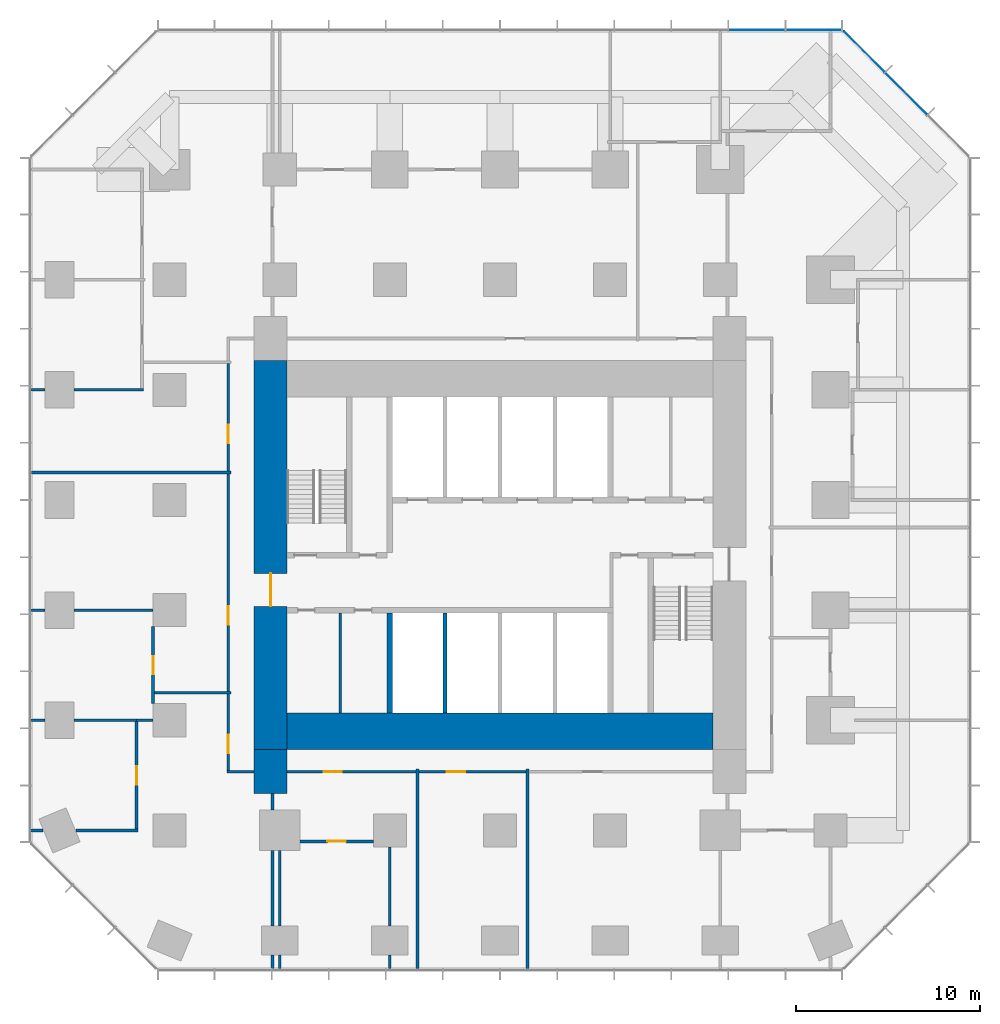
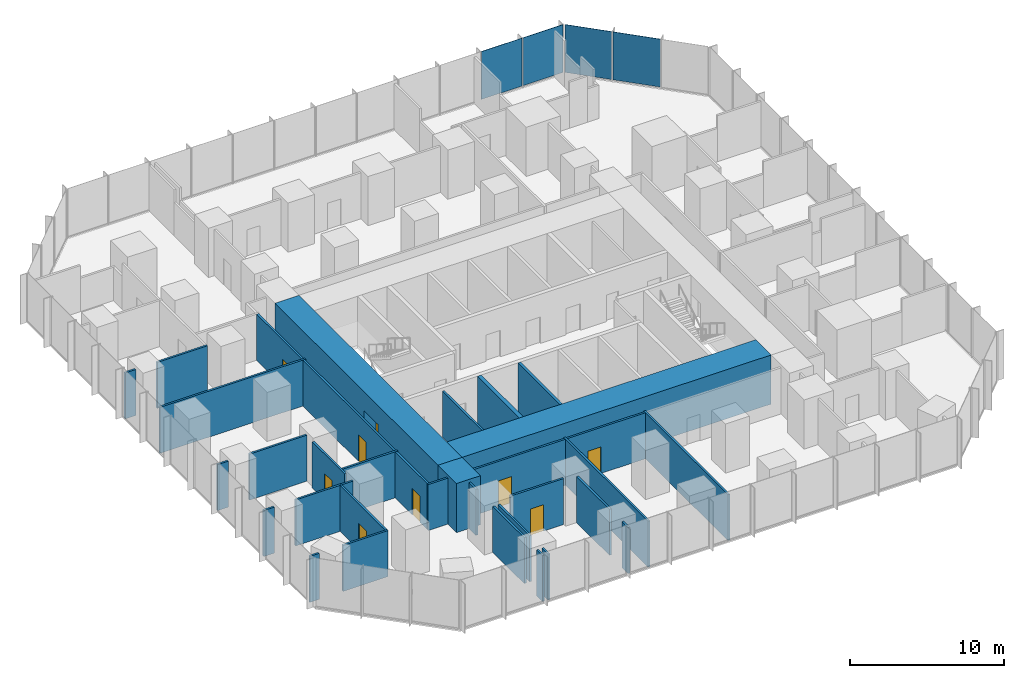
# One storey, part 8 of 12: 35 walls, 9 doors, 4 plates, 9 openings, 2 elements without a shape of their own.
"""IFC4 building model written with IfcOpenShell, lengths in metres."""

from ifc_helpers import new_model, si_unit, direction, frame, frame_2d, origin, origin_2d, place, context, subcontext, project, spatial, rectangle, extrude, material, layer, layer_set, type_object, element, fill, aggregate, save


model = new_model("IFC4")

# Units and contexts
model_context = context("Model", 3, precision=1e-05, world=origin(), true_north=direction((0.0, 1.0)))
body_context = subcontext(model_context, "Body", "Model", "MODEL_VIEW")
ifc_project = project(units=[si_unit("LENGTHUNIT", "METRE"), si_unit("AREAUNIT", "SQUARE_METRE"), si_unit("VOLUMEUNIT", "CUBIC_METRE"), si_unit("PLANEANGLEUNIT", "RADIAN"), si_unit("MASSUNIT", "GRAM", prefix="KILO")], contexts=[model_context])

# Site, building, storey
site_placement = place(None, origin())
site = spatial("IfcSite", under=ifc_project, at=site_placement, CompositionType="ELEMENT")
building_placement = place(site_placement, origin())
building = spatial("IfcBuilding", under=site, at=building_placement, Name="Highveld Stack Headquarters", CompositionType="ELEMENT")
storey_placement = place(building_placement, frame((0.0, 0.0, 72.800048828125)))
storey = spatial("IfcBuildingStorey", under=building, at=storey_placement, Name="L17", CompositionType="ELEMENT", Elevation=72.800048828125)

# Curtain wall, plates
ifc_material_1 = material(Name="Aluminium bronze anodised", Category="aluminium")
ifc_layer_1 = layer(ifc_material_1, 0.199951171875)
ifc_layer_set_1 = layer_set([ifc_layer_1], Name="Aluminium bronze anodised")
curtain_wall_type_1 = type_object("IfcCurtainWallType", Name="CW1 TOWER UNITISED CURTAIN WALL", PredefinedType="NOTDEFINED", material=ifc_layer_set_1)
curtain_wall_1_placement = place(storey_placement, origin())
curtain_wall_1 = element("IfcCurtainWall", 1, at=curtain_wall_1_placement, inside=storey, type_object=curtain_wall_type_1, Name="Curtain wall CW1 L17 N", PredefinedType="NOTDEFINED")
ifc_material_2 = material(Name="Glass bronze tinted double glazed unit", Category="glass")
ifc_layer_2 = layer(ifc_material_2, 0.028076171875)
ifc_layer_set_2 = layer_set([ifc_layer_2], Name="Glass bronze tinted double glazed unit")
plate_type_1 = type_object("IfcPlateType", Name="CW1 PANEL BRONZE TINTED DOUBLE GLAZED UNIT", PredefinedType="CURTAIN_PANEL", material=ifc_layer_set_2)
plate_1_placement = place(storey_placement, frame((23.09130859375, 31.60009765625, 0.10009765625), z_axis=(0.0, 0.0, 1.0), x_axis=(-1.0, 0.0, 0.0)))
plate_1 = element("IfcPlate", 2, at=plate_1_placement, type_object=plate_type_1, Name="CW1 panel L17 1.1", PredefinedType="CURTAIN_PANEL", context=body_context, shape_type="SweptSolid", body=[
    extrude(rectangle(XDim=3.012939453125, YDim=0.028076171875, at=origin_2d()), origin(), (0.0, 0.0, 1.0), 3.800048828125),
])
plate_2_placement = place(storey_placement, frame((19.9970703125, 31.60009765625, 0.10009765625), z_axis=(0.0, 0.0, 1.0), x_axis=(-1.0, 0.0, 0.0)))
plate_2 = element("IfcPlate", 3, at=plate_2_placement, type_object=plate_type_1, Name="CW1 panel L17 2.1", PredefinedType="CURTAIN_PANEL", context=body_context, shape_type="SweptSolid", body=[
    extrude(rectangle(XDim=3.04541015625, YDim=0.028076171875, at=origin_2d()), origin(), (0.0, 0.0, 1.0), 3.800048828125),
])
aggregate(curtain_wall_1, [plate_1, plate_2])

ifc_material_3 = material(Name="Aluminium bronze anodised", Category="aluminium")
ifc_layer_3 = layer(ifc_material_3, 0.199951171875)
ifc_layer_set_3 = layer_set([ifc_layer_3], Name="Aluminium bronze anodised")
curtain_wall_type_2 = type_object("IfcCurtainWallType", Name="CW2 TOWER CHAMFER UNITISED CURTAIN WALL", PredefinedType="NOTDEFINED", material=ifc_layer_set_3)
curtain_wall_2_placement = place(storey_placement, origin())
curtain_wall_2 = element("IfcCurtainWall", 4, at=curtain_wall_2_placement, inside=storey, type_object=curtain_wall_type_2, Name="Curtain wall CW2 L17 NE", PredefinedType="NOTDEFINED")
ifc_material_4 = material(Name="Glass bronze tinted double glazed unit", Category="glass")
ifc_layer_4 = layer(ifc_material_4, 0.028076171875)
ifc_layer_set_4 = layer_set([ifc_layer_4], Name="Glass bronze tinted double glazed unit")
plate_type_2 = type_object("IfcPlateType", Name="CW2 PANEL BRONZE TINTED DOUBLE GLAZED UNIT", PredefinedType="CURTAIN_PANEL", material=ifc_layer_set_4)
plate_3_placement = place(storey_placement, frame((28.13134765625, 28.13134765625, 0.10009765625), z_axis=(0.0, 0.0, 1.0), x_axis=(-0.707106781187, 0.707106781187, 0.0)))
plate_3 = element("IfcPlate", 5, at=plate_3_placement, type_object=plate_type_2, Name="CW2 panel L17 2.1", PredefinedType="CURTAIN_PANEL", context=body_context, shape_type="SweptSolid", body=[
    extrude(rectangle(XDim=3.205322265625, YDim=0.028076171875, at=origin_2d()), origin(), (0.0, 0.0, 1.0), 3.800048828125),
])
plate_4_placement = place(storey_placement, frame((25.8427734375, 30.419921875, 0.10009765625), z_axis=(0.0, 0.0, 1.0), x_axis=(-0.707106781187, 0.707106781187, 0.0)))
plate_4 = element("IfcPlate", 6, at=plate_4_placement, type_object=plate_type_2, Name="CW2 panel L17 3.1", PredefinedType="CURTAIN_PANEL", context=body_context, shape_type="SweptSolid", body=[
    extrude(rectangle(XDim=3.1376953125, YDim=0.028076171875, at=origin_2d()), origin(), (0.0, 0.0, 1.0), 3.800048828125),
])
aggregate(curtain_wall_2, [plate_3, plate_4])

# Wall, opening, door
ifc_material_5 = material(Name="Concrete C60/75", Category="concrete")
ifc_layer_5 = layer(ifc_material_5, 1.800048828125)
ifc_layer_set_5 = layer_set([ifc_layer_5], Name="Concrete C60/75")
wall_type_1 = type_object("IfcWallType", Name="CORE WALL 1800 C60/75", PredefinedType="SHEAR", material=ifc_layer_set_5)
wall_1_placement = place(storey_placement, frame((-6.5, -7.60009765625, 0.0), z_axis=(0.0, 0.0, 1.0), x_axis=(0.0, 1.0, 0.0)))
wall_1 = element("IfcWall", 7, at=wall_1_placement, inside=storey, type_object=wall_type_1, Name="Core wall W L17", PredefinedType="SHEAR", context=body_context, shape_type="SweptSolid", body=[
    extrude(rectangle(XDim=21.2001953125, YDim=1.800048828125, at=frame_2d((10.60009765625, 0.0))), origin(), (0.0, 0.0, 1.0), 3.89990234375),
])
opening_1_placement = place(wall_1_placement, frame((7.800048828125, 0.0, 0.0)))
opening_1 = element("IfcOpeningElement", 8, at=opening_1_placement, cuts=wall_1, Name="Opening L17-01", PredefinedType="OPENING", context=body_context, shape_type="SweptSolid", body=[
    extrude(rectangle(XDim=1.800048828125, YDim=2.39990234375, at=frame_2d((0.89990234375, 1.199951171875))), frame((0.0, 0.909912109375, 0.0), z_axis=(0.0, -1.0, 0.0), x_axis=(1.0, 0.0, 0.0)), (0.0, 0.0, 1.0), 1.820068359375),
])
ifc_material_6 = material(Name="Steel fire door", Category="steel")
door_type_1 = type_object("IfcDoorType", Name="LOBBY FIRE DOOR D4 1800x2400", OperationType="DOUBLE_DOOR_SINGLE_SWING", PredefinedType="DOOR", material=ifc_material_6)
door_1_placement = place(opening_1_placement, origin())
door_1 = element("IfcDoor", 9, at=door_1_placement, inside=storey, type_object=door_type_1, Name="Core west door L17", OperationType="DOUBLE_DOOR_SINGLE_SWING", OverallHeight=2.39990234375, OverallWidth=1.800048828125, PredefinedType="DOOR", context=body_context, shape_type="SweptSolid", body=[
    extrude(rectangle(XDim=1.800048828125, YDim=2.39990234375, at=frame_2d((0.89990234375, 1.199951171875))), frame((0.0, 0.02490234375, 0.0), z_axis=(0.0, -1.0, 0.0), x_axis=(1.0, 0.0, 0.0)), (0.0, 0.0, 1.0), 0.050048828125),
])
fill(opening_1, door_1)

# Walls
ifc_material_7 = material(Name="Concrete C60/75", Category="concrete")
ifc_layer_6 = layer(ifc_material_7, 2.0)
ifc_layer_set_6 = layer_set([ifc_layer_6], Name="Concrete C60/75")
wall_type_2 = type_object("IfcWallType", Name="CORE WALL 2000 C60/75", PredefinedType="SHEAR", material=ifc_layer_set_6)
wall_2_placement = place(storey_placement, frame((-5.60009765625, -6.60009765625, 0.0), z_axis=(0.0, 0.0, 1.0), x_axis=(1.0, 0.0, 0.0)))
element("IfcWall", 10, at=wall_2_placement, inside=storey, type_object=wall_type_2, Name="Core wall S L17", PredefinedType="SHEAR", context=body_context, shape_type="SweptSolid", body=[
    extrude(rectangle(XDim=23.2001953125, YDim=2.0, at=frame_2d((11.60009765625, 0.0))), origin(), (0.0, 0.0, 1.0), 3.89990234375),
])
ifc_material_8 = material(Name="Concrete C60/75", Category="concrete")
ifc_layer_7 = layer(ifc_material_8, 0.300048828125)
ifc_layer_set_7 = layer_set([ifc_layer_7], Name="Concrete C60/75")
wall_type_3 = type_object("IfcWallType", Name="CORE WALL 300 C60/75", PredefinedType="SHEAR", material=ifc_layer_set_7)
wall_3_placement = place(storey_placement, frame((0.0, -5.60009765625, 0.0), z_axis=(0.0, 0.0, 1.0), x_axis=(0.0, 1.0, 0.0)))
element("IfcWall", 11, at=wall_3_placement, inside=storey, type_object=wall_type_3, Name="Core wall I-X0S L17", PredefinedType="SHEAR", context=body_context, shape_type="SweptSolid", body=[
    extrude(rectangle(XDim=5.4501953125, YDim=0.300048828125, at=frame_2d((2.72509765625, 0.0))), origin(), (0.0, 0.0, 1.0), 3.89990234375),
])
ifc_material_9 = material(Name="Concrete C60/75", Category="concrete")
ifc_layer_8 = layer(ifc_material_9, 1.800048828125)
ifc_layer_set_8 = layer_set([ifc_layer_8], Name="Concrete C60/75")
wall_type_4 = type_object("IfcWallType", Name="CORE WING WALL 1800 C60/75", PredefinedType="SHEAR", material=ifc_layer_set_8)
wall_4_placement = place(storey_placement, frame((-6.5, -10.0, 0.0), z_axis=(0.0, 0.0, 1.0), x_axis=(0.0, 1.0, 0.0)))
element("IfcWall", 12, at=wall_4_placement, inside=storey, type_object=wall_type_4, Name="Core wing wall WS L17", PredefinedType="SHEAR", context=body_context, shape_type="SweptSolid", body=[
    extrude(rectangle(XDim=2.39990234375, YDim=1.800048828125, at=frame_2d((1.199951171875, 0.0))), origin(), (0.0, 0.0, 1.0), 3.89990234375),
])

# Wall, opening, door
ifc_material_10 = material(Name="Laminated glass in aluminium frame", Category="aluminium")
ifc_layer_9 = layer(ifc_material_10, 0.14990234375)
ifc_layer_set_9 = layer_set([ifc_layer_9], Name="Laminated glass in aluminium frame")
wall_type_5 = type_object("IfcWallType", Name="GLAZED PARTITION 150", PredefinedType="PARTITIONING", material=ifc_layer_set_9)
wall_5_placement = place(storey_placement, frame((-4.89990234375, -12.60009765625, 0.0), z_axis=(0.0, 0.0, 1.0), x_axis=(1.0, 0.0, 0.0)))
wall_5 = element("IfcWall", 13, at=wall_5_placement, inside=storey, type_object=wall_type_5, Name="Glazed partition Video conference room L17", PredefinedType="PARTITIONING", context=body_context, shape_type="SweptSolid", body=[
    extrude(rectangle(XDim=4.0, YDim=0.14990234375, at=frame_2d((2.0, 0.0))), origin(), (0.0, 0.0, 1.0), 3.64990234375),
])
opening_2_placement = place(wall_5_placement, frame((1.5, 0.0, 0.0)))
opening_2 = element("IfcOpeningElement", 14, at=opening_2_placement, cuts=wall_5, Name="Opening L17-11", PredefinedType="OPENING", context=body_context, shape_type="SweptSolid", body=[
    extrude(rectangle(XDim=1.0, YDim=2.10009765625, at=frame_2d((0.5, 1.050048828125))), frame((0.0, 0.0849609375, 0.0), z_axis=(0.0, -1.0, 0.0), x_axis=(1.0, 0.0, 0.0)), (0.0, 0.0, 1.0), 0.169921875),
])
ifc_material_11 = material(Name="Timber door, oiled ash", Category="wood")
door_type_2 = type_object("IfcDoorType", Name="ROOM DOOR D6 1000x2100", OperationType="SINGLE_SWING_LEFT", PredefinedType="DOOR", material=ifc_material_11)
door_2_placement = place(opening_2_placement, origin())
door_2 = element("IfcDoor", 15, at=door_2_placement, inside=storey, type_object=door_type_2, Name="Video conference room door 1 L17", OperationType="SINGLE_SWING_RIGHT", OverallHeight=2.10009765625, OverallWidth=1.0, PredefinedType="DOOR", context=body_context, shape_type="SweptSolid", body=[
    extrude(rectangle(XDim=1.0, YDim=2.10009765625, at=frame_2d((0.5, 1.050048828125))), frame((0.0, 0.02490234375, 0.0), z_axis=(0.0, -1.0, 0.0), x_axis=(1.0, 0.0, 0.0)), (0.0, 0.0, 1.0), 0.050048828125),
])
fill(opening_2, door_2)

# Walls
ifc_material_12 = material(Name="Concrete blockwork, fair-faced", Category="masonry")
ifc_layer_10 = layer(ifc_material_12, 0.199951171875)
ifc_layer_set_10 = layer_set([ifc_layer_10], Name="Concrete blockwork, fair-faced")
wall_type_6 = type_object("IfcWallType", Name="LIFT SHAFT ENCLOSURE WALL 200 BLOCKWORK", PredefinedType="SOLIDWALL", material=ifc_layer_set_10)
wall_6_placement = place(storey_placement, frame((3.0, -5.60009765625, 0.0), z_axis=(0.0, 0.0, 1.0), x_axis=(0.0, 1.0, 0.0)))
element("IfcWall", 16, at=wall_6_placement, inside=storey, type_object=wall_type_6, Name="Lift shaft wall L17", PredefinedType="SOLIDWALL", context=body_context, shape_type="SweptSolid", body=[
    extrude(rectangle(XDim=5.4501953125, YDim=0.199951171875, at=frame_2d((2.72509765625, 0.0))), origin(), (0.0, 0.0, 1.0), 3.89990234375),
])
ifc_material_13 = material(Name="Gypsum plasterboard on steel studs", Category="steel")
ifc_layer_11 = layer(ifc_material_13, 0.14990234375)
ifc_layer_set_11 = layer_set([ifc_layer_11], Name="Gypsum plasterboard on steel studs")
wall_type_7 = type_object("IfcWallType", Name="PARTITION 150 PLASTERBOARD", PredefinedType="PARTITIONING", material=ifc_layer_set_11)
wall_7_placement = place(storey_placement, frame((-19.60009765625, -12.0, 0.0), z_axis=(0.0, 0.0, 1.0), x_axis=(1.0, 0.0, 0.0)))
element("IfcWall", 17, at=wall_7_placement, inside=storey, type_object=wall_type_7, Name="Partition Print room L17", PredefinedType="PARTITIONING", context=body_context, shape_type="SweptSolid", body=[
    extrude(rectangle(XDim=0.703125, YDim=0.14990234375, at=frame_2d((0.3515625, 0.0))), origin(), (0.0, 0.0, 1.0), 3.64990234375),
])
wall_8_placement = place(storey_placement, frame((-17.10302734375, -12.0, 0.0), z_axis=(0.0, 0.0, 1.0), x_axis=(1.0, 0.0, 0.0)))
element("IfcWall", 18, at=wall_8_placement, inside=storey, type_object=wall_type_7, Name="Partition Print room L17", PredefinedType="PARTITIONING", context=body_context, shape_type="SweptSolid", body=[
    extrude(rectangle(XDim=3.3779296875, YDim=0.14990234375, at=frame_2d((1.68896484375, 0.0))), origin(), (0.0, 0.0, 1.0), 3.64990234375),
])
wall_9_placement = place(storey_placement, frame((-19.60009765625, -6.0, 0.0), z_axis=(0.0, 0.0, 1.0), x_axis=(1.0, 0.0, 0.0)))
element("IfcWall", 19, at=wall_9_placement, inside=storey, type_object=wall_type_7, Name="Partition Interview room / Print room L17", PredefinedType="PARTITIONING", context=body_context, shape_type="SweptSolid", body=[
    extrude(rectangle(XDim=0.800048828125, YDim=0.14990234375, at=frame_2d((0.39990234375, 0.0))), origin(), (0.0, 0.0, 1.0), 3.64990234375),
])
wall_10_placement = place(storey_placement, frame((-17.199951171875, -6.0, 0.0), z_axis=(0.0, 0.0, 1.0), x_axis=(1.0, 0.0, 0.0)))
element("IfcWall", 20, at=wall_10_placement, inside=storey, type_object=wall_type_7, Name="Partition Interview room / Print room L17", PredefinedType="PARTITIONING", context=body_context, shape_type="SweptSolid", body=[
    extrude(rectangle(XDim=3.474853515625, YDim=0.14990234375, at=frame_2d((1.7373046875, 0.0))), origin(), (0.0, 0.0, 1.0), 3.64990234375),
])
wall_11_placement = place(storey_placement, frame((-13.800048828125, -6.0, 0.0), z_axis=(0.0, 0.0, 1.0), x_axis=(1.0, 0.0, 0.0)))
element("IfcWall", 21, at=wall_11_placement, inside=storey, type_object=wall_type_7, Name="Partition Interview room L17", PredefinedType="PARTITIONING", context=body_context, shape_type="SweptSolid", body=[
    extrude(rectangle(XDim=0.900146484375, YDim=0.14990234375, at=frame_2d((0.4501953125, 0.0))), origin(), (0.0, 0.0, 1.0), 3.64990234375),
])
wall_12_placement = place(storey_placement, frame((-19.60009765625, 0.0, 0.0), z_axis=(0.0, 0.0, 1.0), x_axis=(1.0, 0.0, 0.0)))
element("IfcWall", 22, at=wall_12_placement, inside=storey, type_object=wall_type_7, Name="Partition Interview room L17", PredefinedType="PARTITIONING", context=body_context, shape_type="SweptSolid", body=[
    extrude(rectangle(XDim=0.800048828125, YDim=0.14990234375, at=frame_2d((0.39990234375, 0.0))), origin(), (0.0, 0.0, 1.0), 3.64990234375),
])
wall_13_placement = place(storey_placement, frame((-17.199951171875, 0.0, 0.0), z_axis=(0.0, 0.0, 1.0), x_axis=(1.0, 0.0, 0.0)))
element("IfcWall", 23, at=wall_13_placement, inside=storey, type_object=wall_type_7, Name="Partition Interview room L17", PredefinedType="PARTITIONING", context=body_context, shape_type="SweptSolid", body=[
    extrude(rectangle(XDim=4.300048828125, YDim=0.14990234375, at=frame_2d((2.14990234375, 0.0))), origin(), (0.0, 0.0, 1.0), 3.64990234375),
])
wall_14_placement = place(storey_placement, frame((-19.60009765625, 12.0, 0.0), z_axis=(0.0, 0.0, 1.0), x_axis=(1.0, 0.0, 0.0)))
element("IfcWall", 24, at=wall_14_placement, inside=storey, type_object=wall_type_7, Name="Partition Quiet room L17", PredefinedType="PARTITIONING", context=body_context, shape_type="SweptSolid", body=[
    extrude(rectangle(XDim=0.800048828125, YDim=0.14990234375, at=frame_2d((0.39990234375, 0.0))), origin(), (0.0, 0.0, 1.0), 3.64990234375),
])
wall_15_placement = place(storey_placement, frame((-17.199951171875, 12.0, 0.0), z_axis=(0.0, 0.0, 1.0), x_axis=(1.0, 0.0, 0.0)))
element("IfcWall", 25, at=wall_15_placement, inside=storey, type_object=wall_type_7, Name="Partition Quiet room L17", PredefinedType="PARTITIONING", context=body_context, shape_type="SweptSolid", body=[
    extrude(rectangle(XDim=3.77490234375, YDim=0.14990234375, at=frame_2d((1.887451171875, 0.0))), origin(), (0.0, 0.0, 1.0), 3.64990234375),
])

# Wall, opening, door
wall_16_placement = place(storey_placement, frame((-13.800048828125, -11.925048828125, 0.0), z_axis=(0.0, 0.0, 1.0), x_axis=(0.0, 1.0, 0.0)))
wall_16 = element("IfcWall", 26, at=wall_16_placement, inside=storey, type_object=wall_type_7, Name="Partition Print room L17", PredefinedType="PARTITIONING", context=body_context, shape_type="SweptSolid", body=[
    extrude(rectangle(XDim=5.85009765625, YDim=0.14990234375, at=frame_2d((2.925048828125, 0.0))), origin(), (0.0, 0.0, 1.0), 3.64990234375),
])
opening_3_placement = place(wall_16_placement, frame((2.425048828125, 0.0, 0.0)))
opening_3 = element("IfcOpeningElement", 27, at=opening_3_placement, cuts=wall_16, Name="Opening L17-13", PredefinedType="OPENING", context=body_context, shape_type="SweptSolid", body=[
    extrude(rectangle(XDim=1.0, YDim=2.10009765625, at=frame_2d((0.5, 1.050048828125))), frame((0.0, 0.0849609375, 0.0), z_axis=(0.0, -1.0, 0.0), x_axis=(1.0, 0.0, 0.0)), (0.0, 0.0, 1.0), 0.169921875),
])
door_3_placement = place(opening_3_placement, origin())
door_3 = element("IfcDoor", 28, at=door_3_placement, inside=storey, type_object=door_type_2, Name="Print room door 1 L17", OperationType="SINGLE_SWING_LEFT", OverallHeight=2.10009765625, OverallWidth=1.0, PredefinedType="DOOR", context=body_context, shape_type="SweptSolid", body=[
    extrude(rectangle(XDim=1.0, YDim=2.10009765625, at=frame_2d((0.5, 1.050048828125))), frame((0.0, 0.02490234375, 0.0), z_axis=(0.0, -1.0, 0.0), x_axis=(1.0, 0.0, 0.0)), (0.0, 0.0, 1.0), 0.050048828125),
])
fill(opening_3, door_3)

wall_17_placement = place(storey_placement, frame((-12.89990234375, -5.10009765625, 0.0), z_axis=(0.0, 0.0, 1.0), x_axis=(0.0, 1.0, 0.0)))
wall_17 = element("IfcWall", 29, at=wall_17_placement, inside=storey, type_object=wall_type_7, Name="Partition Interview room L17", PredefinedType="PARTITIONING", context=body_context, shape_type="SweptSolid", body=[
    extrude(rectangle(XDim=4.2001953125, YDim=0.14990234375, at=frame_2d((2.10009765625, 0.0))), origin(), (0.0, 0.0, 1.0), 3.64990234375),
])
opening_4_placement = place(wall_17_placement, frame((1.60009765625, 0.0, 0.0)))
opening_4 = element("IfcOpeningElement", 30, at=opening_4_placement, cuts=wall_17, Name="Opening L17-14", PredefinedType="OPENING", context=body_context, shape_type="SweptSolid", body=[
    extrude(rectangle(XDim=1.0, YDim=2.10009765625, at=frame_2d((0.5, 1.050048828125))), frame((0.0, 0.0849609375, 0.0), z_axis=(0.0, -1.0, 0.0), x_axis=(1.0, 0.0, 0.0)), (0.0, 0.0, 1.0), 0.169921875),
])
door_4_placement = place(opening_4_placement, origin())
door_4 = element("IfcDoor", 31, at=door_4_placement, inside=storey, type_object=door_type_2, Name="Interview room door 1 L17", OperationType="SINGLE_SWING_LEFT", OverallHeight=2.10009765625, OverallWidth=1.0, PredefinedType="DOOR", context=body_context, shape_type="SweptSolid", body=[
    extrude(rectangle(XDim=1.0, YDim=2.10009765625, at=frame_2d((0.5, 1.050048828125))), frame((0.0, 0.02490234375, 0.0), z_axis=(0.0, -1.0, 0.0), x_axis=(1.0, 0.0, 0.0)), (0.0, 0.0, 1.0), 0.050048828125),
])
fill(opening_4, door_4)

# Walls
wall_18_placement = place(storey_placement, frame((-6.0, -19.60009765625, 0.0), z_axis=(0.0, 0.0, 1.0), x_axis=(0.0, 1.0, 0.0)))
element("IfcWall", 32, at=wall_18_placement, inside=storey, type_object=wall_type_7, Name="Partition Video conference room L17", PredefinedType="PARTITIONING", context=body_context, shape_type="SweptSolid", body=[
    extrude(rectangle(XDim=0.800048828125, YDim=0.14990234375, at=frame_2d((0.39990234375, 0.0))), origin(), (0.0, 0.0, 1.0), 3.64990234375),
])
wall_19_placement = place(storey_placement, frame((-6.0, -17.199951171875, 0.0), z_axis=(0.0, 0.0, 1.0), x_axis=(0.0, 1.0, 0.0)))
element("IfcWall", 33, at=wall_19_placement, inside=storey, type_object=wall_type_7, Name="Partition Video conference room L17", PredefinedType="PARTITIONING", context=body_context, shape_type="SweptSolid", body=[
    extrude(rectangle(XDim=4.099853515625, YDim=0.14990234375, at=frame_2d((2.0498046875, 0.0))), origin(), (0.0, 0.0, 1.0), 3.64990234375),
])
wall_20_placement = place(storey_placement, frame((0.0, -19.60009765625, 0.0), z_axis=(0.0, 0.0, 1.0), x_axis=(0.0, 1.0, 0.0)))
element("IfcWall", 34, at=wall_20_placement, inside=storey, type_object=wall_type_7, Name="Partition Video conference room L17", PredefinedType="PARTITIONING", context=body_context, shape_type="SweptSolid", body=[
    extrude(rectangle(XDim=0.800048828125, YDim=0.14990234375, at=frame_2d((0.39990234375, 0.0))), origin(), (0.0, 0.0, 1.0), 3.64990234375),
])
wall_21_placement = place(storey_placement, frame((0.0, -17.199951171875, 0.0), z_axis=(0.0, 0.0, 1.0), x_axis=(0.0, 1.0, 0.0)))
element("IfcWall", 35, at=wall_21_placement, inside=storey, type_object=wall_type_7, Name="Partition Video conference room L17", PredefinedType="PARTITIONING", context=body_context, shape_type="SweptSolid", body=[
    extrude(rectangle(XDim=4.300048828125, YDim=0.14990234375, at=frame_2d((2.14990234375, 0.0))), origin(), (0.0, 0.0, 1.0), 3.64990234375),
])
wall_22_placement = place(storey_placement, frame((-19.60009765625, 7.5, 0.0), z_axis=(0.0, 0.0, 1.0), x_axis=(1.0, 0.0, 0.0)))
element("IfcWall", 36, at=wall_22_placement, inside=storey, type_object=wall_type_7, Name="Partition office neighbourhood L17", PredefinedType="PARTITIONING", context=body_context, shape_type="SweptSolid", body=[
    extrude(rectangle(XDim=10.9501953125, YDim=0.14990234375, at=frame_2d((5.47509765625, 0.0))), origin(), (0.0, 0.0, 1.0), 3.64990234375),
])
wall_23_placement = place(storey_placement, frame((-12.824951171875, -4.5, 0.0), z_axis=(0.0, 0.0, 1.0), x_axis=(1.0, 0.0, 0.0)))
element("IfcWall", 37, at=wall_23_placement, inside=storey, type_object=wall_type_7, Name="Partition office neighbourhood L17", PredefinedType="PARTITIONING", context=body_context, shape_type="SweptSolid", body=[
    extrude(rectangle(XDim=4.175048828125, YDim=0.14990234375, at=frame_2d((2.08740234375, 0.0))), origin(), (0.0, 0.0, 1.0), 3.64990234375),
])

# Wall, opening, door
wall_24_placement = place(storey_placement, frame((-8.800048828125, -8.72509765625, 0.0), z_axis=(0.0, 0.0, 1.0), x_axis=(0.0, 1.0, 0.0)))
wall_24 = element("IfcWall", 38, at=wall_24_placement, inside=storey, type_object=wall_type_7, Name="Partition office neighbourhood L17", PredefinedType="PARTITIONING", context=body_context, shape_type="SweptSolid", body=[
    extrude(rectangle(XDim=4.150146484375, YDim=0.14990234375, at=frame_2d((2.0751953125, 0.0))), origin(), (0.0, 0.0, 1.0), 3.64990234375),
])
opening_5_placement = place(wall_24_placement, frame((0.929931640625, 0.0, 0.0)))
opening_5 = element("IfcOpeningElement", 39, at=opening_5_placement, cuts=wall_24, Name="Opening L17-26", PredefinedType="OPENING", context=body_context, shape_type="SweptSolid", body=[
    extrude(rectangle(XDim=1.0, YDim=2.10009765625, at=frame_2d((0.5, 1.050048828125))), frame((0.0, 0.0849609375, 0.0), z_axis=(0.0, -1.0, 0.0), x_axis=(1.0, 0.0, 0.0)), (0.0, 0.0, 1.0), 0.169921875),
])
door_5_placement = place(opening_5_placement, origin())
door_5 = element("IfcDoor", 40, at=door_5_placement, inside=storey, type_object=door_type_2, Name="Office neighbourhood door L17", OperationType="SINGLE_SWING_LEFT", OverallHeight=2.10009765625, OverallWidth=1.0, PredefinedType="DOOR", context=body_context, shape_type="SweptSolid", body=[
    extrude(rectangle(XDim=1.0, YDim=2.10009765625, at=frame_2d((0.5, 1.050048828125))), frame((0.0, 0.02490234375, 0.0), z_axis=(0.0, -1.0, 0.0), x_axis=(1.0, 0.0, 0.0)), (0.0, 0.0, 1.0), 0.050048828125),
])
fill(opening_5, door_5)

# Wall
wall_25_placement = place(storey_placement, frame((-8.875, -8.800048828125, 0.0), z_axis=(0.0, 0.0, 1.0), x_axis=(1.0, 0.0, 0.0)))
element("IfcWall", 41, at=wall_25_placement, inside=storey, type_object=wall_type_7, Name="Partition office neighbourhood L17", PredefinedType="PARTITIONING", context=body_context, shape_type="SweptSolid", body=[
    extrude(rectangle(XDim=1.47509765625, YDim=0.14990234375, at=frame_2d((0.737548828125, 0.0))), origin(), (0.0, 0.0, 1.0), 3.64990234375),
])

# Wall, opening, door
wall_26_placement = place(storey_placement, frame((-8.800048828125, -4.425048828125, 0.0), z_axis=(0.0, 0.0, 1.0), x_axis=(0.0, 1.0, 0.0)))
wall_26 = element("IfcWall", 42, at=wall_26_placement, inside=storey, type_object=wall_type_7, Name="Partition office neighbourhood L17", PredefinedType="PARTITIONING", context=body_context, shape_type="SweptSolid", body=[
    extrude(rectangle(XDim=11.85009765625, YDim=0.14990234375, at=frame_2d((5.925048828125, 0.0))), origin(), (0.0, 0.0, 1.0), 3.64990234375),
])
opening_6_placement = place(wall_26_placement, frame((3.625, 0.0, 0.0)))
opening_6 = element("IfcOpeningElement", 43, at=opening_6_placement, cuts=wall_26, Name="Opening L17-30", PredefinedType="OPENING", context=body_context, shape_type="SweptSolid", body=[
    extrude(rectangle(XDim=1.0, YDim=2.10009765625, at=frame_2d((0.5, 1.050048828125))), frame((0.0, 0.0849609375, 0.0), z_axis=(0.0, -1.0, 0.0), x_axis=(1.0, 0.0, 0.0)), (0.0, 0.0, 1.0), 0.169921875),
])
door_6_placement = place(opening_6_placement, origin())
door_6 = element("IfcDoor", 44, at=door_6_placement, inside=storey, type_object=door_type_2, Name="Office neighbourhood door L17", OperationType="SINGLE_SWING_LEFT", OverallHeight=2.10009765625, OverallWidth=1.0, PredefinedType="DOOR", context=body_context, shape_type="SweptSolid", body=[
    extrude(rectangle(XDim=1.0, YDim=2.10009765625, at=frame_2d((0.5, 1.050048828125))), frame((0.0, 0.02490234375, 0.0), z_axis=(0.0, -1.0, 0.0), x_axis=(1.0, 0.0, 0.0)), (0.0, 0.0, 1.0), 0.050048828125),
])
fill(opening_6, door_6)

wall_27_placement = place(storey_placement, frame((-8.800048828125, 7.574951171875, 0.0), z_axis=(0.0, 0.0, 1.0), x_axis=(0.0, 1.0, 0.0)))
wall_27 = element("IfcWall", 45, at=wall_27_placement, inside=storey, type_object=wall_type_7, Name="Partition office neighbourhood L17", PredefinedType="PARTITIONING", context=body_context, shape_type="SweptSolid", body=[
    extrude(rectangle(XDim=5.85009765625, YDim=0.14990234375, at=frame_2d((2.925048828125, 0.0))), origin(), (0.0, 0.0, 1.0), 3.64990234375),
])
opening_7_placement = place(wall_27_placement, frame((1.52490234375, 0.0, 0.0)))
opening_7 = element("IfcOpeningElement", 46, at=opening_7_placement, cuts=wall_27, Name="Opening L17-31", PredefinedType="OPENING", context=body_context, shape_type="SweptSolid", body=[
    extrude(rectangle(XDim=1.0, YDim=2.10009765625, at=frame_2d((0.5, 1.050048828125))), frame((0.0, 0.0849609375, 0.0), z_axis=(0.0, -1.0, 0.0), x_axis=(1.0, 0.0, 0.0)), (0.0, 0.0, 1.0), 0.169921875),
])
door_7_placement = place(opening_7_placement, origin())
door_7 = element("IfcDoor", 47, at=door_7_placement, inside=storey, type_object=door_type_2, Name="Office neighbourhood door L17", OperationType="SINGLE_SWING_LEFT", OverallHeight=2.10009765625, OverallWidth=1.0, PredefinedType="DOOR", context=body_context, shape_type="SweptSolid", body=[
    extrude(rectangle(XDim=1.0, YDim=2.10009765625, at=frame_2d((0.5, 1.050048828125))), frame((0.0, 0.02490234375, 0.0), z_axis=(0.0, -1.0, 0.0), x_axis=(1.0, 0.0, 0.0)), (0.0, 0.0, 1.0), 0.050048828125),
])
fill(opening_7, door_7)

# Walls
wall_28_placement = place(storey_placement, frame((-6.39990234375, -19.550048828125, 0.0), z_axis=(0.0, 0.0, 1.0), x_axis=(0.0, 1.0, 0.0)))
element("IfcWall", 48, at=wall_28_placement, inside=storey, type_object=wall_type_7, Name="Partition office neighbourhood L17", PredefinedType="PARTITIONING", context=body_context, shape_type="SweptSolid", body=[
    extrude(rectangle(XDim=0.75, YDim=0.14990234375, at=frame_2d((0.375, 0.0))), origin(), (0.0, 0.0, 1.0), 3.64990234375),
])
wall_29_placement = place(storey_placement, frame((-6.39990234375, -17.199951171875, 0.0), z_axis=(0.0, 0.0, 1.0), x_axis=(0.0, 1.0, 0.0)))
element("IfcWall", 49, at=wall_29_placement, inside=storey, type_object=wall_type_7, Name="Partition office neighbourhood L17", PredefinedType="PARTITIONING", context=body_context, shape_type="SweptSolid", body=[
    extrude(rectangle(XDim=4.099853515625, YDim=0.14990234375, at=frame_2d((2.0498046875, 0.0))), origin(), (0.0, 0.0, 1.0), 3.64990234375),
])
wall_30_placement = place(storey_placement, frame((-6.39990234375, -10.89990234375, 0.0), z_axis=(0.0, 0.0, 1.0), x_axis=(0.0, 1.0, 0.0)))
element("IfcWall", 50, at=wall_30_placement, inside=storey, type_object=wall_type_7, Name="Partition office neighbourhood L17", PredefinedType="PARTITIONING", context=body_context, shape_type="SweptSolid", body=[
    extrude(rectangle(XDim=0.89990234375, YDim=0.14990234375, at=frame_2d((0.449951171875, 0.0))), origin(), (0.0, 0.0, 1.0), 3.64990234375),
])

# Wall, opening, door
wall_31_placement = place(storey_placement, frame((-5.60009765625, -8.800048828125, 0.0), z_axis=(0.0, 0.0, 1.0), x_axis=(1.0, 0.0, 0.0)))
wall_31 = element("IfcWall", 51, at=wall_31_placement, inside=storey, type_object=wall_type_7, Name="Partition office neighbourhood L17", PredefinedType="PARTITIONING", context=body_context, shape_type="SweptSolid", body=[
    extrude(rectangle(XDim=7.025146484375, YDim=0.14990234375, at=frame_2d((3.5126953125, 0.0))), origin(), (0.0, 0.0, 1.0), 3.64990234375),
])
opening_8_placement = place(wall_31_placement, frame((1.985107421875, 0.0, 0.0)))
opening_8 = element("IfcOpeningElement", 52, at=opening_8_placement, cuts=wall_31, Name="Opening L17-27", PredefinedType="OPENING", context=body_context, shape_type="SweptSolid", body=[
    extrude(rectangle(XDim=1.0, YDim=2.10009765625, at=frame_2d((0.5, 1.050048828125))), frame((0.0, 0.0849609375, 0.0), z_axis=(0.0, -1.0, 0.0), x_axis=(1.0, 0.0, 0.0)), (0.0, 0.0, 1.0), 0.169921875),
])
door_8_placement = place(opening_8_placement, origin())
door_8 = element("IfcDoor", 53, at=door_8_placement, inside=storey, type_object=door_type_2, Name="Office neighbourhood door L17", OperationType="SINGLE_SWING_LEFT", OverallHeight=2.10009765625, OverallWidth=1.0, PredefinedType="DOOR", context=body_context, shape_type="SweptSolid", body=[
    extrude(rectangle(XDim=1.0, YDim=2.10009765625, at=frame_2d((0.5, 1.050048828125))), frame((0.0, 0.02490234375, 0.0), z_axis=(0.0, -1.0, 0.0), x_axis=(1.0, 0.0, 0.0)), (0.0, 0.0, 1.0), 0.050048828125),
])
fill(opening_8, door_8)

# Wall
wall_32_placement = place(storey_placement, frame((1.5, -19.60009765625, 0.0), z_axis=(0.0, 0.0, 1.0), x_axis=(0.0, 1.0, 0.0)))
element("IfcWall", 54, at=wall_32_placement, inside=storey, type_object=wall_type_7, Name="Partition office neighbourhood L17", PredefinedType="PARTITIONING", context=body_context, shape_type="SweptSolid", body=[
    extrude(rectangle(XDim=10.9501953125, YDim=0.14990234375, at=frame_2d((5.47509765625, 0.0))), origin(), (0.0, 0.0, 1.0), 3.64990234375),
])

# Wall, opening, door
wall_33_placement = place(storey_placement, frame((1.574951171875, -8.800048828125, 0.0), z_axis=(0.0, 0.0, 1.0), x_axis=(1.0, 0.0, 0.0)))
wall_33 = element("IfcWall", 55, at=wall_33_placement, inside=storey, type_object=wall_type_7, Name="Partition office neighbourhood L17", PredefinedType="PARTITIONING", context=body_context, shape_type="SweptSolid", body=[
    extrude(rectangle(XDim=5.85009765625, YDim=0.14990234375, at=frame_2d((2.925048828125, 0.0))), origin(), (0.0, 0.0, 1.0), 3.64990234375),
])
opening_9_placement = place(wall_33_placement, frame((1.52490234375, 0.0, 0.0)))
opening_9 = element("IfcOpeningElement", 56, at=opening_9_placement, cuts=wall_33, Name="Opening L17-24", PredefinedType="OPENING", context=body_context, shape_type="SweptSolid", body=[
    extrude(rectangle(XDim=1.0, YDim=2.10009765625, at=frame_2d((0.5, 1.050048828125))), frame((0.0, 0.0849609375, 0.0), z_axis=(0.0, -1.0, 0.0), x_axis=(1.0, 0.0, 0.0)), (0.0, 0.0, 1.0), 0.169921875),
])
door_9_placement = place(opening_9_placement, origin())
door_9 = element("IfcDoor", 57, at=door_9_placement, inside=storey, type_object=door_type_2, Name="Office neighbourhood door L17", OperationType="SINGLE_SWING_LEFT", OverallHeight=2.10009765625, OverallWidth=1.0, PredefinedType="DOOR", context=body_context, shape_type="SweptSolid", body=[
    extrude(rectangle(XDim=1.0, YDim=2.10009765625, at=frame_2d((0.5, 1.050048828125))), frame((0.0, 0.02490234375, 0.0), z_axis=(0.0, -1.0, 0.0), x_axis=(1.0, 0.0, 0.0)), (0.0, 0.0, 1.0), 0.050048828125),
])
fill(opening_9, door_9)

# Walls
wall_34_placement = place(storey_placement, frame((7.5, -19.60009765625, 0.0), z_axis=(0.0, 0.0, 1.0), x_axis=(0.0, 1.0, 0.0)))
element("IfcWall", 58, at=wall_34_placement, inside=storey, type_object=wall_type_7, Name="Partition office neighbourhood L17", PredefinedType="PARTITIONING", context=body_context, shape_type="SweptSolid", body=[
    extrude(rectangle(XDim=10.9501953125, YDim=0.14990234375, at=frame_2d((5.47509765625, 0.0))), origin(), (0.0, 0.0, 1.0), 3.64990234375),
])
ifc_material_14 = material(Name="Concrete blockwork, tiled", Category="masonry")
ifc_layer_12 = layer(ifc_material_14, 0.14990234375)
ifc_layer_set_12 = layer_set([ifc_layer_12], Name="Concrete blockwork, tiled")
wall_type_8 = type_object("IfcWallType", Name="WC PARTITION 150", PredefinedType="PLUMBINGWALL", material=ifc_layer_set_12)
wall_35_placement = place(storey_placement, frame((-2.699951171875, -5.60009765625, 0.0), z_axis=(0.0, 0.0, 1.0), x_axis=(0.0, 1.0, 0.0)))
element("IfcWall", 59, at=wall_35_placement, inside=storey, type_object=wall_type_8, Name="Toilet partition L17", PredefinedType="PLUMBINGWALL", context=body_context, shape_type="SweptSolid", body=[
    extrude(rectangle(XDim=5.4501953125, YDim=0.14990234375, at=frame_2d((2.72509765625, 0.0))), origin(), (0.0, 0.0, 1.0), 3.64990234375),
])

save(model, "model.ifc")
